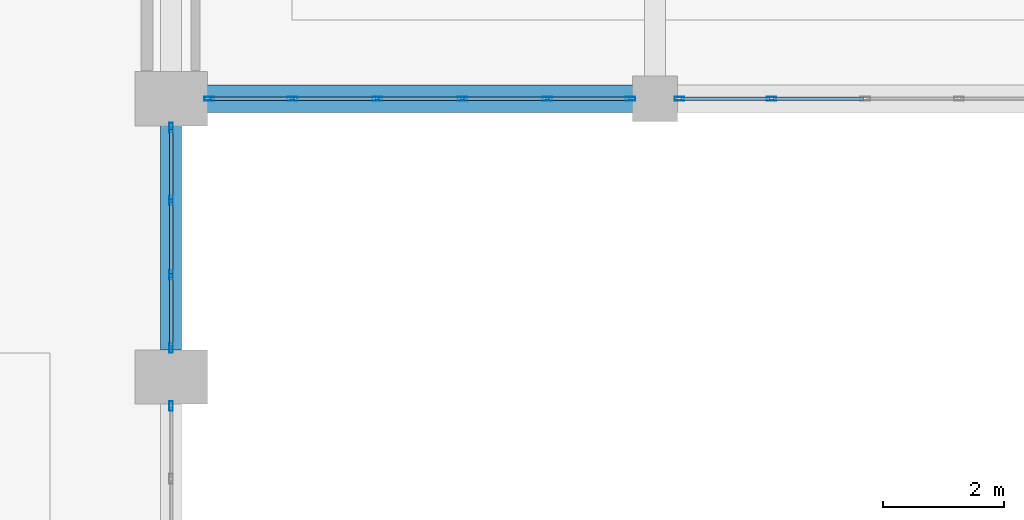
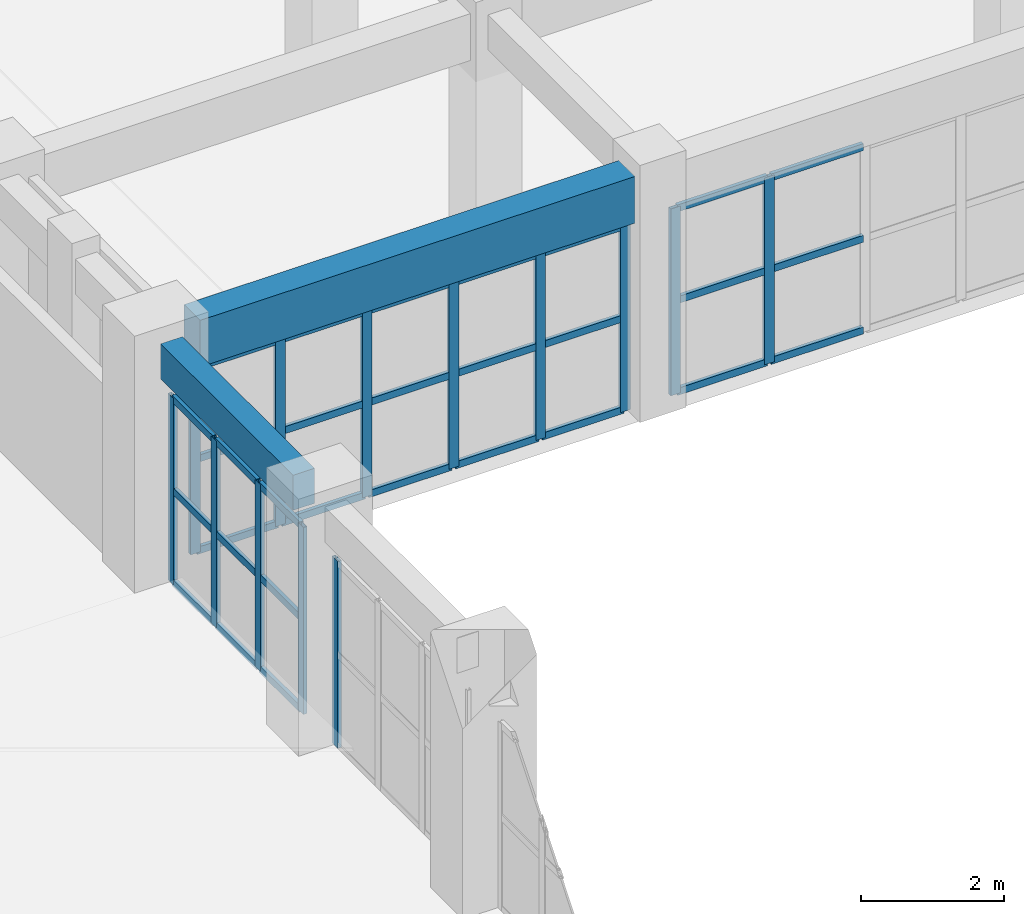
# One storey, part 66 of 116: 43 members, 2 beams, 4 elements without a shape of their own.
"""IFC4 building model written with IfcOpenShell, lengths in metres."""

from ifc_helpers import new_model, si_unit, direction, frame, origin, origin_2d, place, context, subcontext, project, spatial, rectangle, hollow_rectangle, extrude, material, layer, layer_set, material_profile, profile_set, type_object, element, aggregate, save


model = new_model("IFC4")

# Units and contexts
model_context = context("Model", 3, precision=1e-05, world=origin(), true_north=direction((0.0, 1.0)))
body_context = subcontext(model_context, "Body", "Model", "MODEL_VIEW")
ifc_project = project(units=[si_unit("LENGTHUNIT", "METRE"), si_unit("AREAUNIT", "SQUARE_METRE"), si_unit("VOLUMEUNIT", "CUBIC_METRE"), si_unit("PLANEANGLEUNIT", "RADIAN"), si_unit("MASSUNIT", "GRAM", prefix="KILO")], contexts=[model_context])

# Site, building, storey
site_placement = place(None, origin())
site = spatial("IfcSite", under=ifc_project, at=site_placement, CompositionType="ELEMENT")
building_placement = place(site_placement, origin())
building = spatial("IfcBuilding", under=site, at=building_placement, Name="Muzn Square Opera House", CompositionType="ELEMENT")
storey_placement = place(building_placement, frame((0.0, 0.0, 5.39990234375)))
storey = spatial("IfcBuildingStorey", under=building, at=storey_placement, Name="L01", CompositionType="ELEMENT", Elevation=5.39990234375)

# Curtain wall, member
ifc_material_1 = material(Name="Low-E laminated acoustic double glazing", Category="glass")
ifc_layer_1 = layer(ifc_material_1, 0.159912109375, Name="Low-E laminated acoustic double glazing", Category="glass")
ifc_layer_set_1 = layer_set([ifc_layer_1], Name="Low-E laminated acoustic double glazing")
curtain_wall_type_1 = type_object("IfcCurtainWallType", Name="Glazed Curtain Wall EastVaultCourt 3700x3200", PredefinedType="USERDEFINED", material=ifc_layer_set_1)
curtain_wall_1_placement = place(storey_placement, origin())
curtain_wall_1 = element("IfcCurtainWall", 1, at=curtain_wall_1_placement, inside=storey, type_object=curtain_wall_type_1, Name="Glazed Curtain Wall CW-L01-046", ObjectType="GLAZED CURTAIN WALL", PredefinedType="USERDEFINED")
ifc_material_2 = material(Name="Anodised bronze aluminium 6063-T6", Category="metal")
ifc_material_profile_1 = material_profile(ifc_material_2, hollow_rectangle(XDim=0.06005859375, YDim=0.159912109375, WallThickness=0.00390625, at=origin_2d()), Name="ALU 160x60x4", Category="metal")
ifc_profile_set_1 = profile_set([ifc_material_profile_1], Name="Anodised bronze aluminium 6063-T6")
member_type_1 = type_object("IfcMemberType", Name="Curtain Wall Mullion 160x60", PredefinedType="MULLION", material=ifc_profile_set_1)
member_1_placement = place(storey_placement, frame((133.0, 49.1201171875, 0.0), z_axis=(0.0, 0.0, 1.0), x_axis=(-1.0, 0.0, 0.0)))
member_1 = element("IfcMember", 2, at=member_1_placement, type_object=member_type_1, Name="CW-EVC-37x32 mullion 4", PredefinedType="MULLION", context=body_context, shape_type="SweptSolid", body=[
    extrude(hollow_rectangle(XDim=0.06005859375, YDim=0.159912109375, WallThickness=0.00390625, at=origin_2d()), origin(), (0.0, 0.0, 1.0), 3.2001953125),
])
aggregate(curtain_wall_1, [member_1])

# Curtain wall, members
curtain_wall_2_placement = place(storey_placement, origin())
curtain_wall_2 = element("IfcCurtainWall", 3, at=curtain_wall_2_placement, inside=storey, type_object=curtain_wall_type_1, Name="Glazed Curtain Wall CW-L01-048", ObjectType="GLAZED CURTAIN WALL", PredefinedType="USERDEFINED")
member_2_placement = place(storey_placement, frame((133.0, 50.080078125, 0.0), z_axis=(0.0, 0.0, 1.0), x_axis=(-1.0, 0.0, 0.0)))
member_2 = element("IfcMember", 4, at=member_2_placement, type_object=member_type_1, Name="CW-EVC-37x32 mullion 1", PredefinedType="MULLION", context=body_context, shape_type="SweptSolid", body=[
    extrude(hollow_rectangle(XDim=0.06005859375, YDim=0.159912109375, WallThickness=0.00390625, at=origin_2d()), origin(), (0.0, 0.0, 1.0), 3.2001953125),
])
member_3_placement = place(storey_placement, frame((133.0, 51.283447265625, 0.0), z_axis=(0.0, 0.0, 1.0), x_axis=(-1.0, 0.0, 0.0)))
member_3 = element("IfcMember", 5, at=member_3_placement, type_object=member_type_1, Name="CW-EVC-37x32 mullion 2", PredefinedType="MULLION", context=body_context, shape_type="SweptSolid", body=[
    extrude(hollow_rectangle(XDim=0.06005859375, YDim=0.159912109375, WallThickness=0.00390625, at=origin_2d()), origin(), (0.0, 0.0, 1.0), 3.2001953125),
])
member_4_placement = place(storey_placement, frame((133.0, 52.5166015625, 0.0), z_axis=(0.0, 0.0, 1.0), x_axis=(-1.0, 0.0, 0.0)))
member_4 = element("IfcMember", 6, at=member_4_placement, type_object=member_type_1, Name="CW-EVC-37x32 mullion 3", PredefinedType="MULLION", context=body_context, shape_type="SweptSolid", body=[
    extrude(hollow_rectangle(XDim=0.06005859375, YDim=0.159912109375, WallThickness=0.00390625, at=origin_2d()), origin(), (0.0, 0.0, 1.0), 3.2001953125),
])
member_5_placement = place(storey_placement, frame((133.0, 53.719970703125, 0.0), z_axis=(0.0, 0.0, 1.0), x_axis=(-1.0, 0.0, 0.0)))
member_5 = element("IfcMember", 7, at=member_5_placement, type_object=member_type_1, Name="CW-EVC-37x32 mullion 4", PredefinedType="MULLION", context=body_context, shape_type="SweptSolid", body=[
    extrude(hollow_rectangle(XDim=0.06005859375, YDim=0.159912109375, WallThickness=0.00390625, at=origin_2d()), origin(), (0.0, 0.0, 1.0), 3.2001953125),
])

ifc_layer_2 = layer(ifc_material_1, 0.159912109375, Name="Low-E laminated acoustic double glazing", Category="glass")
ifc_layer_set_2 = layer_set([ifc_layer_2], Name="Low-E laminated acoustic double glazing")
curtain_wall_type_2 = type_object("IfcCurtainWallType", Name="Glazed Curtain Wall EastCloisterN 7025x3200", PredefinedType="USERDEFINED", material=ifc_layer_set_2)
curtain_wall_3_placement = place(storey_placement, origin())
curtain_wall_3 = element("IfcCurtainWall", 8, at=curtain_wall_3_placement, inside=storey, type_object=curtain_wall_type_2, Name="Glazed Curtain Wall CW-L01-088", ObjectType="GLAZED CURTAIN WALL", PredefinedType="USERDEFINED")
member_6_placement = place(storey_placement, frame((133.6298828125, 54.199951171875, 0.0), z_axis=(0.0, 0.0, 1.0), x_axis=(0.0, 1.0, 0.0)))
member_6 = element("IfcMember", 9, at=member_6_placement, type_object=member_type_1, Name="CW-ECN-70x32 mullion 1", PredefinedType="MULLION", context=body_context, shape_type="SweptSolid", body=[
    extrude(hollow_rectangle(XDim=0.06005859375, YDim=0.159912109375, WallThickness=0.00390625, at=origin_2d()), origin(), (0.0, 0.0, 1.0), 3.2001953125),
])
member_7_placement = place(storey_placement, frame((135.0048828125, 54.199951171875, 0.0), z_axis=(0.0, 0.0, 1.0), x_axis=(0.0, 1.0, 0.0)))
member_7 = element("IfcMember", 10, at=member_7_placement, type_object=member_type_1, Name="CW-ECN-70x32 mullion 2", PredefinedType="MULLION", context=body_context, shape_type="SweptSolid", body=[
    extrude(hollow_rectangle(XDim=0.06005859375, YDim=0.159912109375, WallThickness=0.00390625, at=origin_2d()), origin(), (0.0, 0.0, 1.0), 3.2001953125),
])
member_8_placement = place(storey_placement, frame((136.409912109375, 54.199951171875, 0.0), z_axis=(0.0, 0.0, 1.0), x_axis=(0.0, 1.0, 0.0)))
member_8 = element("IfcMember", 11, at=member_8_placement, type_object=member_type_1, Name="CW-ECN-70x32 mullion 3", PredefinedType="MULLION", context=body_context, shape_type="SweptSolid", body=[
    extrude(hollow_rectangle(XDim=0.06005859375, YDim=0.159912109375, WallThickness=0.00390625, at=origin_2d()), origin(), (0.0, 0.0, 1.0), 3.2001953125),
])
member_9_placement = place(storey_placement, frame((137.81494140625, 54.199951171875, 0.0), z_axis=(0.0, 0.0, 1.0), x_axis=(0.0, 1.0, 0.0)))
member_9 = element("IfcMember", 12, at=member_9_placement, type_object=member_type_1, Name="CW-ECN-70x32 mullion 4", PredefinedType="MULLION", context=body_context, shape_type="SweptSolid", body=[
    extrude(hollow_rectangle(XDim=0.06005859375, YDim=0.159912109375, WallThickness=0.00390625, at=origin_2d()), origin(), (0.0, 0.0, 1.0), 3.2001953125),
])
member_10_placement = place(storey_placement, frame((139.219970703125, 54.199951171875, 0.0), z_axis=(0.0, 0.0, 1.0), x_axis=(0.0, 1.0, 0.0)))
member_10 = element("IfcMember", 13, at=member_10_placement, type_object=member_type_1, Name="CW-ECN-70x32 mullion 5", PredefinedType="MULLION", context=body_context, shape_type="SweptSolid", body=[
    extrude(hollow_rectangle(XDim=0.06005859375, YDim=0.159912109375, WallThickness=0.00390625, at=origin_2d()), origin(), (0.0, 0.0, 1.0), 3.2001953125),
])
member_11_placement = place(storey_placement, frame((140.594970703125, 54.199951171875, 0.0), z_axis=(0.0, 0.0, 1.0), x_axis=(0.0, 1.0, 0.0)))
member_11 = element("IfcMember", 14, at=member_11_placement, type_object=member_type_1, Name="CW-ECN-70x32 mullion 6", PredefinedType="MULLION", context=body_context, shape_type="SweptSolid", body=[
    extrude(hollow_rectangle(XDim=0.06005859375, YDim=0.159912109375, WallThickness=0.00390625, at=origin_2d()), origin(), (0.0, 0.0, 1.0), 3.2001953125),
])

ifc_layer_3 = layer(ifc_material_1, 0.159912109375, Name="Low-E laminated acoustic double glazing", Category="glass")
ifc_layer_set_3 = layer_set([ifc_layer_3], Name="Low-E laminated acoustic double glazing")
curtain_wall_type_3 = type_object("IfcCurtainWallType", Name="Glazed Curtain Wall EastCloisterN 7750x3200", PredefinedType="USERDEFINED", material=ifc_layer_set_3)
curtain_wall_4_placement = place(storey_placement, origin())
curtain_wall_4 = element("IfcCurtainWall", 15, at=curtain_wall_4_placement, inside=storey, type_object=curtain_wall_type_3, Name="Glazed Curtain Wall CW-L01-090", ObjectType="GLAZED CURTAIN WALL", PredefinedType="USERDEFINED")
member_12_placement = place(storey_placement, frame((141.405029296875, 54.199951171875, 0.0), z_axis=(0.0, 0.0, 1.0), x_axis=(0.0, 1.0, 0.0)))
member_12 = element("IfcMember", 16, at=member_12_placement, type_object=member_type_1, Name="CW-ECN-77x32 mullion 1", PredefinedType="MULLION", context=body_context, shape_type="SweptSolid", body=[
    extrude(hollow_rectangle(XDim=0.06005859375, YDim=0.159912109375, WallThickness=0.00390625, at=origin_2d()), origin(), (0.0, 0.0, 1.0), 3.2001953125),
])
member_13_placement = place(storey_placement, frame((142.925048828125, 54.199951171875, 0.0), z_axis=(0.0, 0.0, 1.0), x_axis=(0.0, 1.0, 0.0)))
member_13 = element("IfcMember", 17, at=member_13_placement, type_object=member_type_1, Name="CW-ECN-77x32 mullion 2", PredefinedType="MULLION", context=body_context, shape_type="SweptSolid", body=[
    extrude(hollow_rectangle(XDim=0.06005859375, YDim=0.159912109375, WallThickness=0.00390625, at=origin_2d()), origin(), (0.0, 0.0, 1.0), 3.2001953125),
])

# Member
ifc_material_profile_2 = material_profile(ifc_material_2, hollow_rectangle(XDim=0.06005859375, YDim=0.1201171875, WallThickness=0.00390625, at=origin_2d()), Name="ALU 120x60x4", Category="metal")
ifc_profile_set_2 = profile_set([ifc_material_profile_2], Name="Anodised bronze aluminium 6063-T6")
member_type_2 = type_object("IfcMemberType", Name="Curtain Wall Transom 120x60", PredefinedType="USERDEFINED", material=ifc_profile_set_2)
member_14_placement = place(storey_placement, frame((133.0, 50.110107421875, 0.030029296875), z_axis=(0.0, 1.0, 0.0), x_axis=(-1.0, 0.0, 0.0)))
member_14 = element("IfcMember", 18, at=member_14_placement, type_object=member_type_2, Name="CW-EVC-37x32 transom 1.1", ObjectType="TRANSOM", PredefinedType="USERDEFINED", context=body_context, shape_type="SweptSolid", body=[
    extrude(hollow_rectangle(XDim=0.06005859375, YDim=0.1201171875, WallThickness=0.00390625, at=origin_2d()), origin(), (0.0, 0.0, 1.0), 1.143310546875),
])

member_15_placement = place(storey_placement, frame((133.0, 50.110107421875, 1.60009765625), z_axis=(0.0, 1.0, 0.0), x_axis=(-1.0, 0.0, 0.0)))
member_15 = element("IfcMember", 19, at=member_15_placement, type_object=member_type_2, Name="CW-EVC-37x32 transom 1.2", ObjectType="TRANSOM", PredefinedType="USERDEFINED", context=body_context, shape_type="SweptSolid", body=[
    extrude(hollow_rectangle(XDim=0.06005859375, YDim=0.1201171875, WallThickness=0.00390625, at=origin_2d()), origin(), (0.0, 0.0, 1.0), 1.143310546875),
])

member_16_placement = place(storey_placement, frame((133.0, 50.110107421875, 3.170166015625), z_axis=(0.0, 1.0, 0.0), x_axis=(-1.0, 0.0, 0.0)))
member_16 = element("IfcMember", 20, at=member_16_placement, type_object=member_type_2, Name="CW-EVC-37x32 transom 1.3", ObjectType="TRANSOM", PredefinedType="USERDEFINED", context=body_context, shape_type="SweptSolid", body=[
    extrude(hollow_rectangle(XDim=0.06005859375, YDim=0.1201171875, WallThickness=0.00390625, at=origin_2d()), origin(), (0.0, 0.0, 1.0), 1.143310546875),
])

member_17_placement = place(storey_placement, frame((133.0, 51.313232421875, 0.030029296875), z_axis=(0.0, 1.0, 0.0), x_axis=(-1.0, 0.0, 0.0)))
member_17 = element("IfcMember", 21, at=member_17_placement, type_object=member_type_2, Name="CW-EVC-37x32 transom 2.1", ObjectType="TRANSOM", PredefinedType="USERDEFINED", context=body_context, shape_type="SweptSolid", body=[
    extrude(hollow_rectangle(XDim=0.06005859375, YDim=0.1201171875, WallThickness=0.00390625, at=origin_2d()), origin(), (0.0, 0.0, 1.0), 1.17333984375),
])

member_18_placement = place(storey_placement, frame((133.0, 51.313232421875, 1.60009765625), z_axis=(0.0, 1.0, 0.0), x_axis=(-1.0, 0.0, 0.0)))
member_18 = element("IfcMember", 22, at=member_18_placement, type_object=member_type_2, Name="CW-EVC-37x32 transom 2.2", ObjectType="TRANSOM", PredefinedType="USERDEFINED", context=body_context, shape_type="SweptSolid", body=[
    extrude(hollow_rectangle(XDim=0.06005859375, YDim=0.1201171875, WallThickness=0.00390625, at=origin_2d()), origin(), (0.0, 0.0, 1.0), 1.17333984375),
])

member_19_placement = place(storey_placement, frame((133.0, 51.313232421875, 3.170166015625), z_axis=(0.0, 1.0, 0.0), x_axis=(-1.0, 0.0, 0.0)))
member_19 = element("IfcMember", 23, at=member_19_placement, type_object=member_type_2, Name="CW-EVC-37x32 transom 2.3", ObjectType="TRANSOM", PredefinedType="USERDEFINED", context=body_context, shape_type="SweptSolid", body=[
    extrude(hollow_rectangle(XDim=0.06005859375, YDim=0.1201171875, WallThickness=0.00390625, at=origin_2d()), origin(), (0.0, 0.0, 1.0), 1.17333984375),
])

member_20_placement = place(storey_placement, frame((133.0, 52.546630859375, 0.030029296875), z_axis=(0.0, 1.0, 0.0), x_axis=(-1.0, 0.0, 0.0)))
member_20 = element("IfcMember", 24, at=member_20_placement, type_object=member_type_2, Name="CW-EVC-37x32 transom 3.1", ObjectType="TRANSOM", PredefinedType="USERDEFINED", context=body_context, shape_type="SweptSolid", body=[
    extrude(hollow_rectangle(XDim=0.06005859375, YDim=0.1201171875, WallThickness=0.00390625, at=origin_2d()), origin(), (0.0, 0.0, 1.0), 1.143310546875),
])

member_21_placement = place(storey_placement, frame((133.0, 52.546630859375, 1.60009765625), z_axis=(0.0, 1.0, 0.0), x_axis=(-1.0, 0.0, 0.0)))
member_21 = element("IfcMember", 25, at=member_21_placement, type_object=member_type_2, Name="CW-EVC-37x32 transom 3.2", ObjectType="TRANSOM", PredefinedType="USERDEFINED", context=body_context, shape_type="SweptSolid", body=[
    extrude(hollow_rectangle(XDim=0.06005859375, YDim=0.1201171875, WallThickness=0.00390625, at=origin_2d()), origin(), (0.0, 0.0, 1.0), 1.143310546875),
])

member_22_placement = place(storey_placement, frame((133.0, 52.546630859375, 3.170166015625), z_axis=(0.0, 1.0, 0.0), x_axis=(-1.0, 0.0, 0.0)))
member_22 = element("IfcMember", 26, at=member_22_placement, type_object=member_type_2, Name="CW-EVC-37x32 transom 3.3", ObjectType="TRANSOM", PredefinedType="USERDEFINED", context=body_context, shape_type="SweptSolid", body=[
    extrude(hollow_rectangle(XDim=0.06005859375, YDim=0.1201171875, WallThickness=0.00390625, at=origin_2d()), origin(), (0.0, 0.0, 1.0), 1.143310546875),
])

aggregate(curtain_wall_2, [member_2, member_3, member_4, member_5, member_14, member_15, member_16, member_17, member_18, member_19, member_20, member_21, member_22])

member_23_placement = place(storey_placement, frame((133.659912109375, 54.199951171875, 0.030029296875), z_axis=(1.0, 0.0, 0.0), x_axis=(0.0, 1.0, 0.0)))
member_23 = element("IfcMember", 27, at=member_23_placement, type_object=member_type_2, Name="CW-ECN-70x32 transom 1.1", ObjectType="TRANSOM", PredefinedType="USERDEFINED", context=body_context, shape_type="SweptSolid", body=[
    extrude(hollow_rectangle(XDim=0.06005859375, YDim=0.1201171875, WallThickness=0.00390625, at=origin_2d()), origin(), (0.0, 0.0, 1.0), 1.315185546875),
])

member_24_placement = place(storey_placement, frame((133.659912109375, 54.199951171875, 1.60009765625), z_axis=(1.0, 0.0, 0.0), x_axis=(0.0, 1.0, 0.0)))
member_24 = element("IfcMember", 28, at=member_24_placement, type_object=member_type_2, Name="CW-ECN-70x32 transom 1.2", ObjectType="TRANSOM", PredefinedType="USERDEFINED", context=body_context, shape_type="SweptSolid", body=[
    extrude(hollow_rectangle(XDim=0.06005859375, YDim=0.1201171875, WallThickness=0.00390625, at=origin_2d()), origin(), (0.0, 0.0, 1.0), 1.315185546875),
])

member_25_placement = place(storey_placement, frame((133.659912109375, 54.199951171875, 3.170166015625), z_axis=(1.0, 0.0, 0.0), x_axis=(0.0, 1.0, 0.0)))
member_25 = element("IfcMember", 29, at=member_25_placement, type_object=member_type_2, Name="CW-ECN-70x32 transom 1.3", ObjectType="TRANSOM", PredefinedType="USERDEFINED", context=body_context, shape_type="SweptSolid", body=[
    extrude(hollow_rectangle(XDim=0.06005859375, YDim=0.1201171875, WallThickness=0.00390625, at=origin_2d()), origin(), (0.0, 0.0, 1.0), 1.315185546875),
])

member_26_placement = place(storey_placement, frame((135.034912109375, 54.199951171875, 0.030029296875), z_axis=(1.0, 0.0, 0.0), x_axis=(0.0, 1.0, 0.0)))
member_26 = element("IfcMember", 30, at=member_26_placement, type_object=member_type_2, Name="CW-ECN-70x32 transom 2.1", ObjectType="TRANSOM", PredefinedType="USERDEFINED", context=body_context, shape_type="SweptSolid", body=[
    extrude(hollow_rectangle(XDim=0.06005859375, YDim=0.1201171875, WallThickness=0.00390625, at=origin_2d()), origin(), (0.0, 0.0, 1.0), 1.344970703125),
])

member_27_placement = place(storey_placement, frame((135.034912109375, 54.199951171875, 1.60009765625), z_axis=(1.0, 0.0, 0.0), x_axis=(0.0, 1.0, 0.0)))
member_27 = element("IfcMember", 31, at=member_27_placement, type_object=member_type_2, Name="CW-ECN-70x32 transom 2.2", ObjectType="TRANSOM", PredefinedType="USERDEFINED", context=body_context, shape_type="SweptSolid", body=[
    extrude(hollow_rectangle(XDim=0.06005859375, YDim=0.1201171875, WallThickness=0.00390625, at=origin_2d()), origin(), (0.0, 0.0, 1.0), 1.344970703125),
])

member_28_placement = place(storey_placement, frame((135.034912109375, 54.199951171875, 3.170166015625), z_axis=(1.0, 0.0, 0.0), x_axis=(0.0, 1.0, 0.0)))
member_28 = element("IfcMember", 32, at=member_28_placement, type_object=member_type_2, Name="CW-ECN-70x32 transom 2.3", ObjectType="TRANSOM", PredefinedType="USERDEFINED", context=body_context, shape_type="SweptSolid", body=[
    extrude(hollow_rectangle(XDim=0.06005859375, YDim=0.1201171875, WallThickness=0.00390625, at=origin_2d()), origin(), (0.0, 0.0, 1.0), 1.344970703125),
])

member_29_placement = place(storey_placement, frame((136.43994140625, 54.199951171875, 0.030029296875), z_axis=(1.0, 0.0, 0.0), x_axis=(0.0, 1.0, 0.0)))
member_29 = element("IfcMember", 33, at=member_29_placement, type_object=member_type_2, Name="CW-ECN-70x32 transom 3.1", ObjectType="TRANSOM", PredefinedType="USERDEFINED", context=body_context, shape_type="SweptSolid", body=[
    extrude(hollow_rectangle(XDim=0.06005859375, YDim=0.1201171875, WallThickness=0.00390625, at=origin_2d()), origin(), (0.0, 0.0, 1.0), 1.344970703125),
])

member_30_placement = place(storey_placement, frame((136.43994140625, 54.199951171875, 1.60009765625), z_axis=(1.0, 0.0, 0.0), x_axis=(0.0, 1.0, 0.0)))
member_30 = element("IfcMember", 34, at=member_30_placement, type_object=member_type_2, Name="CW-ECN-70x32 transom 3.2", ObjectType="TRANSOM", PredefinedType="USERDEFINED", context=body_context, shape_type="SweptSolid", body=[
    extrude(hollow_rectangle(XDim=0.06005859375, YDim=0.1201171875, WallThickness=0.00390625, at=origin_2d()), origin(), (0.0, 0.0, 1.0), 1.344970703125),
])

member_31_placement = place(storey_placement, frame((136.43994140625, 54.199951171875, 3.170166015625), z_axis=(1.0, 0.0, 0.0), x_axis=(0.0, 1.0, 0.0)))
member_31 = element("IfcMember", 35, at=member_31_placement, type_object=member_type_2, Name="CW-ECN-70x32 transom 3.3", ObjectType="TRANSOM", PredefinedType="USERDEFINED", context=body_context, shape_type="SweptSolid", body=[
    extrude(hollow_rectangle(XDim=0.06005859375, YDim=0.1201171875, WallThickness=0.00390625, at=origin_2d()), origin(), (0.0, 0.0, 1.0), 1.344970703125),
])

member_32_placement = place(storey_placement, frame((137.844970703125, 54.199951171875, 0.030029296875), z_axis=(1.0, 0.0, 0.0), x_axis=(0.0, 1.0, 0.0)))
member_32 = element("IfcMember", 36, at=member_32_placement, type_object=member_type_2, Name="CW-ECN-70x32 transom 4.1", ObjectType="TRANSOM", PredefinedType="USERDEFINED", context=body_context, shape_type="SweptSolid", body=[
    extrude(hollow_rectangle(XDim=0.06005859375, YDim=0.1201171875, WallThickness=0.00390625, at=origin_2d()), origin(), (0.0, 0.0, 1.0), 1.344970703125),
])

member_33_placement = place(storey_placement, frame((137.844970703125, 54.199951171875, 1.60009765625), z_axis=(1.0, 0.0, 0.0), x_axis=(0.0, 1.0, 0.0)))
member_33 = element("IfcMember", 37, at=member_33_placement, type_object=member_type_2, Name="CW-ECN-70x32 transom 4.2", ObjectType="TRANSOM", PredefinedType="USERDEFINED", context=body_context, shape_type="SweptSolid", body=[
    extrude(hollow_rectangle(XDim=0.06005859375, YDim=0.1201171875, WallThickness=0.00390625, at=origin_2d()), origin(), (0.0, 0.0, 1.0), 1.344970703125),
])

member_34_placement = place(storey_placement, frame((137.844970703125, 54.199951171875, 3.170166015625), z_axis=(1.0, 0.0, 0.0), x_axis=(0.0, 1.0, 0.0)))
member_34 = element("IfcMember", 38, at=member_34_placement, type_object=member_type_2, Name="CW-ECN-70x32 transom 4.3", ObjectType="TRANSOM", PredefinedType="USERDEFINED", context=body_context, shape_type="SweptSolid", body=[
    extrude(hollow_rectangle(XDim=0.06005859375, YDim=0.1201171875, WallThickness=0.00390625, at=origin_2d()), origin(), (0.0, 0.0, 1.0), 1.344970703125),
])

member_35_placement = place(storey_placement, frame((139.25, 54.199951171875, 0.030029296875), z_axis=(1.0, 0.0, 0.0), x_axis=(0.0, 1.0, 0.0)))
member_35 = element("IfcMember", 39, at=member_35_placement, type_object=member_type_2, Name="CW-ECN-70x32 transom 5.1", ObjectType="TRANSOM", PredefinedType="USERDEFINED", context=body_context, shape_type="SweptSolid", body=[
    extrude(hollow_rectangle(XDim=0.06005859375, YDim=0.1201171875, WallThickness=0.00390625, at=origin_2d()), origin(), (0.0, 0.0, 1.0), 1.31494140625),
])

member_36_placement = place(storey_placement, frame((139.25, 54.199951171875, 1.60009765625), z_axis=(1.0, 0.0, 0.0), x_axis=(0.0, 1.0, 0.0)))
member_36 = element("IfcMember", 40, at=member_36_placement, type_object=member_type_2, Name="CW-ECN-70x32 transom 5.2", ObjectType="TRANSOM", PredefinedType="USERDEFINED", context=body_context, shape_type="SweptSolid", body=[
    extrude(hollow_rectangle(XDim=0.06005859375, YDim=0.1201171875, WallThickness=0.00390625, at=origin_2d()), origin(), (0.0, 0.0, 1.0), 1.31494140625),
])

member_37_placement = place(storey_placement, frame((139.25, 54.199951171875, 3.170166015625), z_axis=(1.0, 0.0, 0.0), x_axis=(0.0, 1.0, 0.0)))
member_37 = element("IfcMember", 41, at=member_37_placement, type_object=member_type_2, Name="CW-ECN-70x32 transom 5.3", ObjectType="TRANSOM", PredefinedType="USERDEFINED", context=body_context, shape_type="SweptSolid", body=[
    extrude(hollow_rectangle(XDim=0.06005859375, YDim=0.1201171875, WallThickness=0.00390625, at=origin_2d()), origin(), (0.0, 0.0, 1.0), 1.31494140625),
])

aggregate(curtain_wall_3, [member_6, member_7, member_8, member_9, member_10, member_11, member_23, member_24, member_25, member_26, member_27, member_28, member_29, member_30, member_31, member_32, member_33, member_34, member_35, member_36, member_37])

member_38_placement = place(storey_placement, frame((141.43505859375, 54.199951171875, 0.030029296875), z_axis=(1.0, 0.0, 0.0), x_axis=(0.0, 1.0, 0.0)))
member_38 = element("IfcMember", 42, at=member_38_placement, type_object=member_type_2, Name="CW-ECN-77x32 transom 1.1", ObjectType="TRANSOM", PredefinedType="USERDEFINED", context=body_context, shape_type="SweptSolid", body=[
    extrude(hollow_rectangle(XDim=0.06005859375, YDim=0.1201171875, WallThickness=0.00390625, at=origin_2d()), origin(), (0.0, 0.0, 1.0), 1.4599609375),
])

member_39_placement = place(storey_placement, frame((141.43505859375, 54.199951171875, 1.60009765625), z_axis=(1.0, 0.0, 0.0), x_axis=(0.0, 1.0, 0.0)))
member_39 = element("IfcMember", 43, at=member_39_placement, type_object=member_type_2, Name="CW-ECN-77x32 transom 1.2", ObjectType="TRANSOM", PredefinedType="USERDEFINED", context=body_context, shape_type="SweptSolid", body=[
    extrude(hollow_rectangle(XDim=0.06005859375, YDim=0.1201171875, WallThickness=0.00390625, at=origin_2d()), origin(), (0.0, 0.0, 1.0), 1.4599609375),
])

member_40_placement = place(storey_placement, frame((141.43505859375, 54.199951171875, 3.170166015625), z_axis=(1.0, 0.0, 0.0), x_axis=(0.0, 1.0, 0.0)))
member_40 = element("IfcMember", 44, at=member_40_placement, type_object=member_type_2, Name="CW-ECN-77x32 transom 1.3", ObjectType="TRANSOM", PredefinedType="USERDEFINED", context=body_context, shape_type="SweptSolid", body=[
    extrude(hollow_rectangle(XDim=0.06005859375, YDim=0.1201171875, WallThickness=0.00390625, at=origin_2d()), origin(), (0.0, 0.0, 1.0), 1.4599609375),
])

member_41_placement = place(storey_placement, frame((142.955078125, 54.199951171875, 0.030029296875), z_axis=(1.0, 0.0, 0.0), x_axis=(0.0, 1.0, 0.0)))
member_41 = element("IfcMember", 45, at=member_41_placement, type_object=member_type_2, Name="CW-ECN-77x32 transom 2.1", ObjectType="TRANSOM", PredefinedType="USERDEFINED", context=body_context, shape_type="SweptSolid", body=[
    extrude(hollow_rectangle(XDim=0.06005859375, YDim=0.1201171875, WallThickness=0.00390625, at=origin_2d()), origin(), (0.0, 0.0, 1.0), 1.489990234375),
])

member_42_placement = place(storey_placement, frame((142.955078125, 54.199951171875, 1.60009765625), z_axis=(1.0, 0.0, 0.0), x_axis=(0.0, 1.0, 0.0)))
member_42 = element("IfcMember", 46, at=member_42_placement, type_object=member_type_2, Name="CW-ECN-77x32 transom 2.2", ObjectType="TRANSOM", PredefinedType="USERDEFINED", context=body_context, shape_type="SweptSolid", body=[
    extrude(hollow_rectangle(XDim=0.06005859375, YDim=0.1201171875, WallThickness=0.00390625, at=origin_2d()), origin(), (0.0, 0.0, 1.0), 1.489990234375),
])

member_43_placement = place(storey_placement, frame((142.955078125, 54.199951171875, 3.170166015625), z_axis=(1.0, 0.0, 0.0), x_axis=(0.0, 1.0, 0.0)))
member_43 = element("IfcMember", 47, at=member_43_placement, type_object=member_type_2, Name="CW-ECN-77x32 transom 2.3", ObjectType="TRANSOM", PredefinedType="USERDEFINED", context=body_context, shape_type="SweptSolid", body=[
    extrude(hollow_rectangle(XDim=0.06005859375, YDim=0.1201171875, WallThickness=0.00390625, at=origin_2d()), origin(), (0.0, 0.0, 1.0), 1.489990234375),
])

aggregate(curtain_wall_4, [member_12, member_13, member_38, member_39, member_40, member_41, member_42, member_43])

# Beams
ifc_material_3 = material(Name="Concrete C40/50", Category="concrete")
ifc_material_profile_3 = material_profile(ifc_material_3, rectangle(XDim=0.35009765625, YDim=0.60009765625, at=origin_2d()), Name="RCB 350x600", Category="concrete")
ifc_profile_set_3 = profile_set([ifc_material_profile_3], Name="Concrete C40/50")
beam_type_1 = type_object("IfcBeamType", Name="Primary Girder 350x600", PredefinedType="BEAM", material=ifc_profile_set_3)
beam_1_placement = place(storey_placement, frame((133.0, 50.0419921875, 3.820068359375), z_axis=(0.0, 1.0, 0.0), x_axis=(-1.0, 0.0, 0.0)))
element("IfcBeam", 48, at=beam_1_placement, inside=storey, type_object=beam_type_1, Name="Primary Girder BM-L01-BM-PG600-1330_500_1330_538-1707", PredefinedType="BEAM", context=body_context, shape_type="SweptSolid", body=[
    extrude(rectangle(XDim=0.35009765625, YDim=0.60009765625, at=origin_2d()), origin(), (0.0, 0.0, 1.0), 3.716064453125),
])
ifc_material_profile_4 = material_profile(ifc_material_3, rectangle(XDim=0.449951171875, YDim=0.800048828125, at=origin_2d()), Name="RCB 450x800", Category="concrete")
ifc_profile_set_4 = profile_set([ifc_material_profile_4], Name="Concrete C40/50")
beam_type_2 = type_object("IfcBeamType", Name="Primary Girder 450x800", PredefinedType="BEAM", material=ifc_profile_set_4)
beam_2_placement = place(storey_placement, frame((133.592041015625, 54.199951171875, 3.72021484375), z_axis=(1.0, 0.0, 0.0), x_axis=(0.0, 1.0, 0.0)))
element("IfcBeam", 49, at=beam_2_placement, inside=storey, type_object=beam_type_2, Name="Primary Girder BM-L01-BM-PG800-1336_542_1406_542-1374", PredefinedType="BEAM", context=body_context, shape_type="SweptSolid", body=[
    extrude(rectangle(XDim=0.449951171875, YDim=0.800048828125, at=origin_2d()), origin(), (0.0, 0.0, 1.0), 7.041015625),
])

save(model, "model.ifc")
